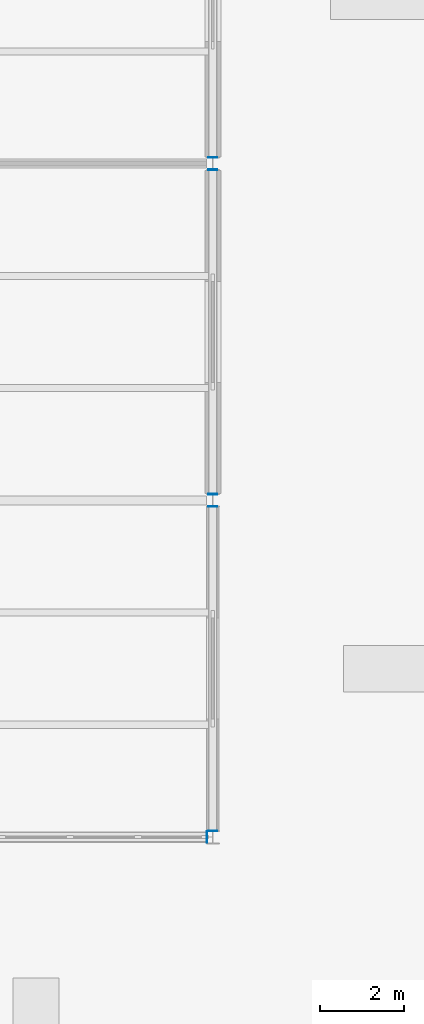
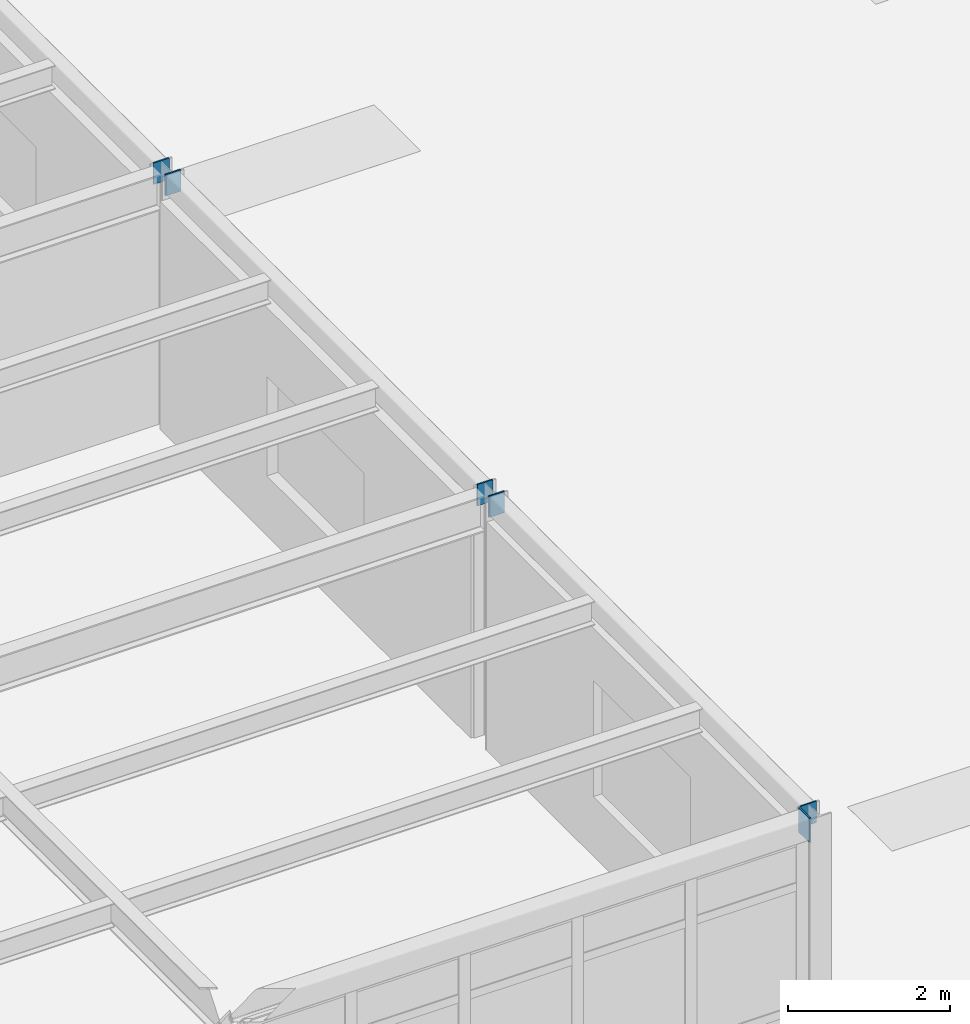
# One storey, part 119 of 138: 6 discrete accessories.
"""IFC4 building model written with IfcOpenShell, lengths in metres."""

from ifc_helpers import new_model, si_unit, direction, frame, origin, origin_2d, place, context, subcontext, project, spatial, rectangle, extrude, material, layer, layer_set, type_object, element, save


model = new_model("IFC4")

# Units and contexts
model_context = context("Model", 3, precision=1e-05, world=origin(), true_north=direction((0.0, 1.0)))
body_context = subcontext(model_context, "Body", "Model", "MODEL_VIEW")
ifc_project = project(units=[si_unit("LENGTHUNIT", "METRE"), si_unit("AREAUNIT", "SQUARE_METRE"), si_unit("VOLUMEUNIT", "CUBIC_METRE"), si_unit("PLANEANGLEUNIT", "RADIAN"), si_unit("MASSUNIT", "GRAM", prefix="KILO")], contexts=[model_context])

# Site, building, storey
site_placement = place(None, origin())
site = spatial("IfcSite", under=ifc_project, at=site_placement, CompositionType="ELEMENT")
building_placement = place(site_placement, origin())
building = spatial("IfcBuilding", under=site, at=building_placement, Name="Kranzveld Transit Interchange", CompositionType="ELEMENT")
storey_placement = place(building_placement, frame((0.0, 0.0, 5.43994140625)))
storey = spatial("IfcBuildingStorey", under=building, at=storey_placement, Name="L01", CompositionType="ELEMENT", Elevation=5.43994140625)

# Discrete accessories
ifc_material = material(Name="Steel S355JR", Category="steel")
ifc_layer = layer(ifc_material, 0.02001953125)
ifc_layer_set = layer_set([ifc_layer], Name="Steel S355JR")
discrete_accessory_type = type_object("IfcDiscreteAccessoryType", Name="Hollow Section End Cap Bracket 20 S355JR", PredefinedType="BRACKET", material=ifc_layer_set)
discrete_accessory_placement = place(storey_placement, frame((134.25146484375, 8.0, 3.625), z_axis=(1.0, 0.0, 0.0), x_axis=(0.0, 1.0, 0.0)))
element("IfcDiscreteAccessory", 1, at=discrete_accessory_placement, inside=storey, type_object=discrete_accessory_type, Name="Hollow Section End Cap SP-RHS350-2", PredefinedType="BRACKET", context=body_context, shape_type="SweptSolid", body=[
    extrude(rectangle(XDim=0.27392578125, YDim=0.3740234375, at=origin_2d()), origin(), (0.0, 0.0, 1.0), 0.02001953125),
])
for number, where, z_axis, x_axis, name in (
    (2, (134.39990234375, 8.154296875, 3.650146484375), (0.0, -1.0, 0.0), (1.0, 0.0, 0.0), "Hollow Section End Cap SP-RHS300-1"),
    (3, (134.39990234375, 15.845703125, 3.650146484375), (0.0, 1.0, 0.0), (-1.0, 0.0, 0.0), "Hollow Section End Cap SP-RHS300-2"),
    (4, (134.39990234375, 16.154296875, 3.650146484375), (0.0, -1.0, 0.0), (1.0, 0.0, 0.0), "Hollow Section End Cap SP-RHS300-1"),
    (5, (134.39990234375, 23.845703125, 3.650146484375), (0.0, 1.0, 0.0), (-1.0, 0.0, 0.0), "Hollow Section End Cap SP-RHS300-2"),
    (6, (134.39990234375, 24.154296875, 3.650146484375), (0.0, -1.0, 0.0), (1.0, 0.0, 0.0), "Hollow Section End Cap SP-RHS300-1"),
):
    element("IfcDiscreteAccessory", number, at=place(storey_placement, frame(where, z_axis=z_axis, x_axis=x_axis)), inside=storey, type_object=discrete_accessory_type, Name=name, PredefinedType="BRACKET", context=body_context, shape_type="SweptSolid", body=[
        extrude(rectangle(XDim=0.22412109375, YDim=0.323974609375, at=origin_2d()), origin(), (0.0, 0.0, 1.0), 0.02001953125),
    ])

save(model, "model.ifc")
